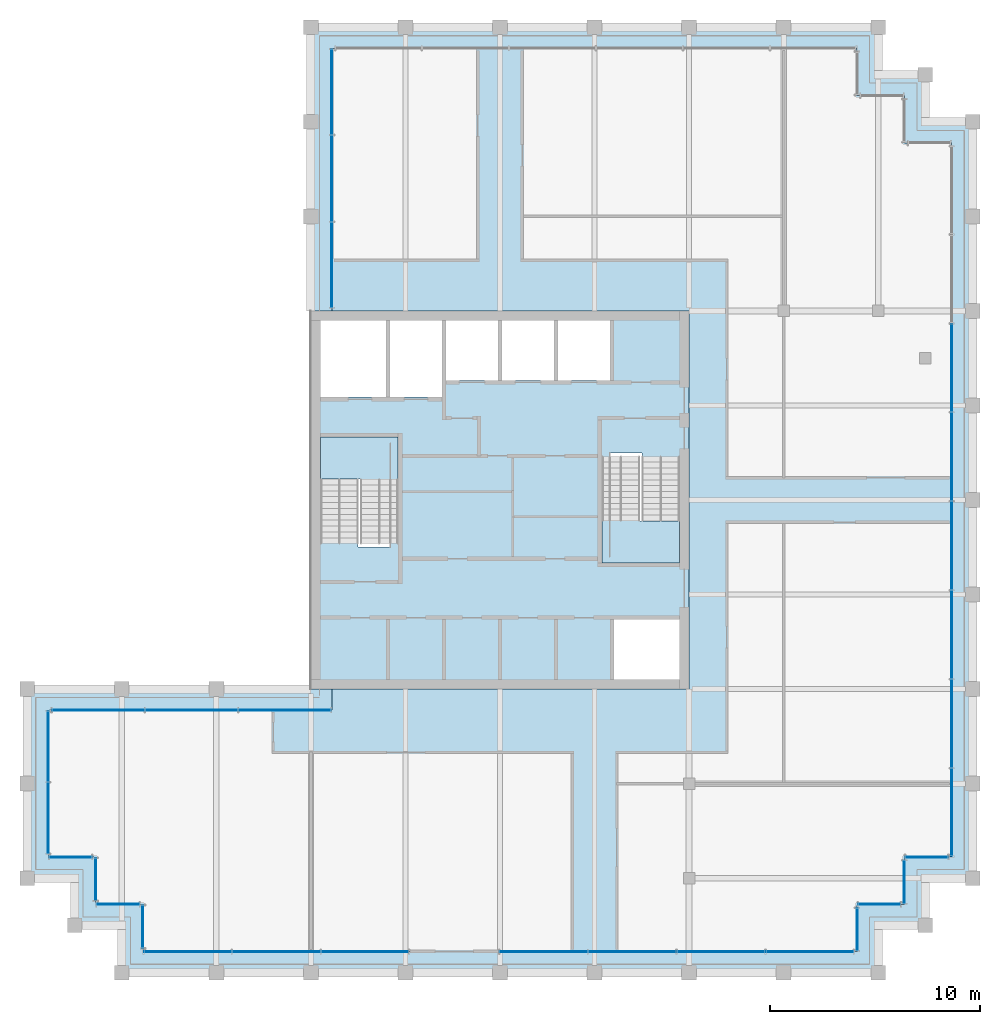
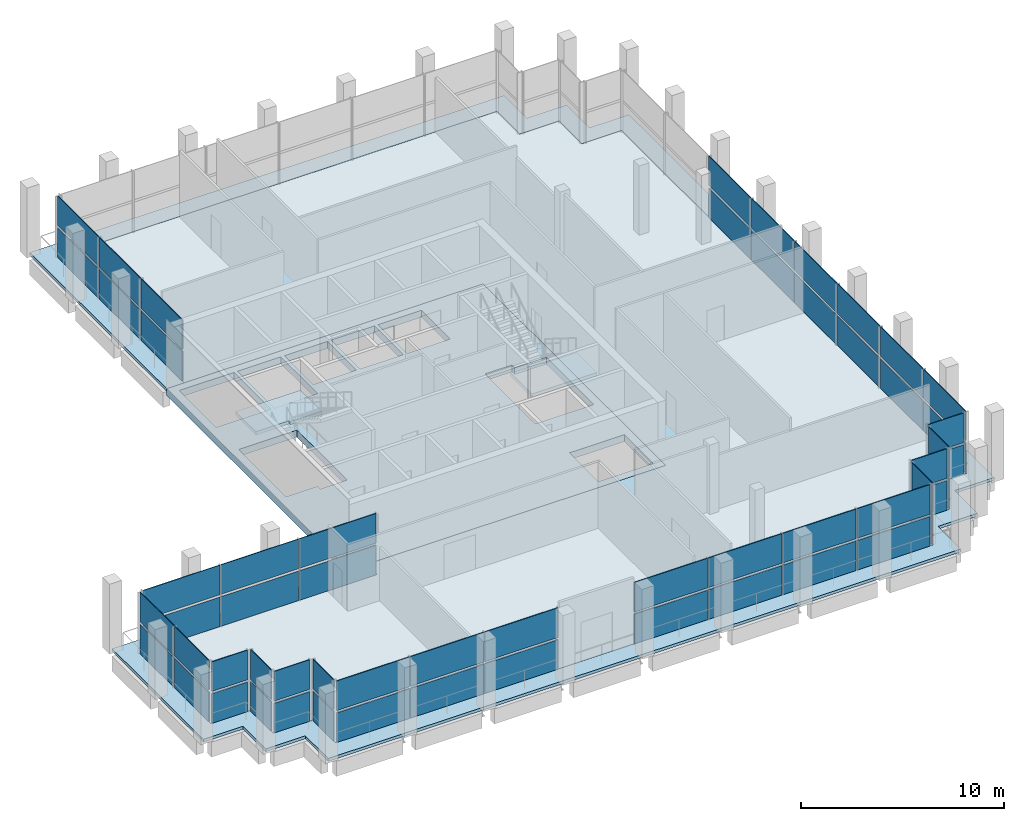
# One storey, part 13 of 17: 58 plates, 5 slabs, 16 elements without a shape of their own.
"""IFC4 building model written with IfcOpenShell, lengths in metres."""

from ifc_helpers import new_model, si_unit, direction, frame, origin, origin_2d, place, context, subcontext, project, spatial, polyline, rectangle, outline, extrude, material, layer, layer_set, type_object, element, aggregate, save


model = new_model("IFC4")

# Units and contexts
model_context = context("Model", 3, precision=1e-05, world=origin(), true_north=direction((0.0, 1.0)))
body_context = subcontext(model_context, "Body", "Model", "MODEL_VIEW")
ifc_project = project(units=[si_unit("LENGTHUNIT", "METRE"), si_unit("AREAUNIT", "SQUARE_METRE"), si_unit("VOLUMEUNIT", "CUBIC_METRE"), si_unit("PLANEANGLEUNIT", "RADIAN"), si_unit("MASSUNIT", "GRAM", prefix="KILO")], contexts=[model_context])

# Site, building, storey
site_placement = place(None, origin())
site = spatial("IfcSite", under=ifc_project, at=site_placement, CompositionType="ELEMENT")
building_placement = place(site_placement, origin())
building = spatial("IfcBuilding", under=site, at=building_placement, Name="Altepetl Exchange Towers", CompositionType="ELEMENT")
storey_placement = place(building_placement, frame((0.0, 0.0, 259.39990234375)))
storey = spatial("IfcBuildingStorey", under=building, at=storey_placement, Name="L66", CompositionType="ELEMENT", Elevation=259.39990234375)

# Slabs
ifc_material_1 = material(Name="Concrete C40/50", Category="concrete")
ifc_layer_1 = layer(ifc_material_1, 0.175048828125)
ifc_layer_set_1 = layer_set([ifc_layer_1], Name="Concrete C40/50")
slab_type_1 = type_object("IfcSlabType", Name="Composite floor slab 175", PredefinedType="FLOOR", material=ifc_layer_set_1)
slab_1_placement = place(storey_placement, frame((0.0, 0.0, -0.1748046875)))
element("IfcSlab", 1, at=slab_1_placement, inside=storey, type_object=slab_type_1, Name="slab:A:L66:strip0", PredefinedType="FLOOR", context=body_context, shape_type="SweptSolid", body=[
    extrude(outline(polyline([(41.5, 71.0), (41.5, 58.5), (58.5, 58.5), (58.5, 40.5), (41.5, 40.5), (41.5, 39.5), (28.0, 39.5), (28.0, 32.5), (30.25, 32.5), (30.25, 30.25), (32.5, 30.25), (32.5, 28.0), (66.5, 28.0), (66.5, 30.25), (68.75, 30.25), (68.75, 32.5), (71.0, 32.5), (71.0, 66.5), (68.75, 66.5), (68.75, 68.75), (66.5, 68.75), (66.5, 71.0), (41.5, 71.0)])), origin(), (0.0, 0.0, 1.0), 0.1748046875),
])
ifc_layer_2 = layer(ifc_material_1, 0.419921875)
ifc_layer_set_2 = layer_set([ifc_layer_2], Name="Concrete C40/50")
slab_type_2 = type_object("IfcSlabType", Name="Core floor slab 420", PredefinedType="FLOOR", material=ifc_layer_set_2)
slab_2_placement = place(storey_placement, frame((0.0, 0.0, -0.419921875)))
element("IfcSlab", 2, at=slab_2_placement, inside=storey, type_object=slab_type_2, Name="slab:A:L66:core0", PredefinedType="FLOOR", context=body_context, shape_type="SweptSolid", body=[
    extrude(outline(polyline([(40.5, 40.5), (58.5, 40.5), (58.5, 58.5), (40.5, 58.5), (40.5, 40.5)]), holes=[polyline([(54.93310546875, 43.800048828125), (58.050048828125, 43.800048828125), (58.050048828125, 40.949951171875), (54.93310546875, 40.949951171875), (54.93310546875, 43.800048828125)]), polyline([(54.719970703125, 51.7490234375), (56.25, 51.7490234375), (56.25, 51.47998046875), (58.050048828125, 51.47998046875), (58.050048828125, 46.800048828125), (54.719970703125, 46.800048828125), (54.719970703125, 51.7490234375)]), polyline([(44.280029296875, 47.2509765625), (42.75, 47.2509765625), (42.75, 47.52001953125), (40.949951171875, 47.52001953125), (40.949951171875, 52.199951171875), (44.280029296875, 52.199951171875), (44.280029296875, 47.2509765625)]), polyline([(40.949951171875, 58.050048828125), (44.06689453125, 58.050048828125), (44.06689453125, 54.39990234375), (40.949951171875, 54.39990234375), (40.949951171875, 58.050048828125)]), polyline([(44.26708984375, 58.050048828125), (46.73291015625, 58.050048828125), (46.73291015625, 54.39990234375), (44.26708984375, 54.39990234375), (44.26708984375, 58.050048828125)]), polyline([(46.93310546875, 58.050048828125), (49.39990234375, 58.050048828125), (49.39990234375, 55.199951171875), (46.93310546875, 55.199951171875), (46.93310546875, 58.050048828125)]), polyline([(49.60009765625, 58.050048828125), (52.06689453125, 58.050048828125), (52.06689453125, 55.199951171875), (49.60009765625, 55.199951171875), (49.60009765625, 58.050048828125)]), polyline([(52.26708984375, 58.050048828125), (54.73291015625, 58.050048828125), (54.73291015625, 55.199951171875), (52.26708984375, 55.199951171875), (52.26708984375, 58.050048828125)])]), origin(), (0.0, 0.0, 1.0), 0.419921875),
])

# Curtain wall, plates
ifc_material_2 = material(Name="Aluminium 6063-T6 glazing", Category="aluminium")
curtain_wall_type = type_object("IfcCurtainWallType", Name="Executive flush glazing system", PredefinedType="NOTDEFINED", material=ifc_material_2)
curtain_wall_1_placement = place(storey_placement, origin())
curtain_wall_1 = element("IfcCurtainWall", 3, at=curtain_wall_1_placement, inside=storey, type_object=curtain_wall_type, Name="CW4 run", PredefinedType="NOTDEFINED")
ifc_material_3 = material(Name="Glass 10-24-10 laminated", Category="glass")
ifc_layer_3 = layer(ifc_material_3, 0.0439453125)
ifc_layer_set_3 = layer_set([ifc_layer_3], Name="Glass 10-24-10 laminated")
plate_type = type_object("IfcPlateType", Name="Glass panel 44 laminated", PredefinedType="CURTAIN_PANEL", material=ifc_layer_set_3)
plate_1_placement = place(storey_placement, frame((39.255859375, 39.5, 0.0), z_axis=(0.0, 0.0, 1.0), x_axis=(-1.0, 0.0, 0.0)))
plate_1 = element("IfcPlate", 4, at=plate_1_placement, type_object=plate_type, Name="GP3 panel", PredefinedType="CURTAIN_PANEL", context=body_context, shape_type="SweptSolid", body=[
    extrude(rectangle(XDim=4.368408203125, YDim=0.0439453125, at=origin_2d()), origin(), (0.0, 0.0, 1.0), 1.780029296875),
])
plate_2_placement = place(storey_placement, frame((39.255859375, 39.5, 1.919921875), z_axis=(0.0, 0.0, 1.0), x_axis=(-1.0, 0.0, 0.0)))
plate_2 = element("IfcPlate", 5, at=plate_2_placement, type_object=plate_type, Name="GP3 panel", PredefinedType="CURTAIN_PANEL", context=body_context, shape_type="SweptSolid", body=[
    extrude(rectangle(XDim=4.368408203125, YDim=0.0439453125, at=origin_2d()), origin(), (0.0, 0.0, 1.0), 1.780029296875),
])
plate_3_placement = place(storey_placement, frame((34.8125, 39.5, 0.0), z_axis=(0.0, 0.0, 1.0), x_axis=(-1.0, 0.0, 0.0)))
plate_3 = element("IfcPlate", 6, at=plate_3_placement, type_object=plate_type, Name="GP3 panel", PredefinedType="CURTAIN_PANEL", context=body_context, shape_type="SweptSolid", body=[
    extrude(rectangle(XDim=4.3984375, YDim=0.0439453125, at=origin_2d()), origin(), (0.0, 0.0, 1.0), 1.780029296875),
])
plate_4_placement = place(storey_placement, frame((34.8125, 39.5, 1.919921875), z_axis=(0.0, 0.0, 1.0), x_axis=(-1.0, 0.0, 0.0)))
plate_4 = element("IfcPlate", 7, at=plate_4_placement, type_object=plate_type, Name="GP3 panel", PredefinedType="CURTAIN_PANEL", context=body_context, shape_type="SweptSolid", body=[
    extrude(rectangle(XDim=4.3984375, YDim=0.0439453125, at=origin_2d()), origin(), (0.0, 0.0, 1.0), 1.780029296875),
])
plate_5_placement = place(storey_placement, frame((30.369140625, 39.5, 0.0), z_axis=(0.0, 0.0, 1.0), x_axis=(-1.0, 0.0, 0.0)))
plate_5 = element("IfcPlate", 8, at=plate_5_placement, type_object=plate_type, Name="GP3 panel", PredefinedType="CURTAIN_PANEL", context=body_context, shape_type="SweptSolid", body=[
    extrude(rectangle(XDim=4.368408203125, YDim=0.0439453125, at=origin_2d()), origin(), (0.0, 0.0, 1.0), 1.780029296875),
])
plate_6_placement = place(storey_placement, frame((30.369140625, 39.5, 1.919921875), z_axis=(0.0, 0.0, 1.0), x_axis=(-1.0, 0.0, 0.0)))
plate_6 = element("IfcPlate", 9, at=plate_6_placement, type_object=plate_type, Name="GP3 panel", PredefinedType="CURTAIN_PANEL", context=body_context, shape_type="SweptSolid", body=[
    extrude(rectangle(XDim=4.368408203125, YDim=0.0439453125, at=origin_2d()), origin(), (0.0, 0.0, 1.0), 1.780029296875),
])
aggregate(curtain_wall_1, [plate_1, plate_2, plate_3, plate_4, plate_5, plate_6])

curtain_wall_2_placement = place(storey_placement, origin())
curtain_wall_2 = element("IfcCurtainWall", 10, at=curtain_wall_2_placement, inside=storey, type_object=curtain_wall_type, Name="CW4 run", PredefinedType="NOTDEFINED")
plate_7_placement = place(storey_placement, frame((28.0, 37.766357421875, 0.0), z_axis=(0.0, 0.0, 1.0), x_axis=(0.0, -1.0, 0.0)))
plate_7 = element("IfcPlate", 11, at=plate_7_placement, type_object=plate_type, Name="GP3 panel", PredefinedType="CURTAIN_PANEL", context=body_context, shape_type="SweptSolid", body=[
    extrude(rectangle(XDim=3.347412109375, YDim=0.0439453125, at=origin_2d()), origin(), (0.0, 0.0, 1.0), 1.780029296875),
])
plate_8_placement = place(storey_placement, frame((28.0, 37.766357421875, 1.919921875), z_axis=(0.0, 0.0, 1.0), x_axis=(0.0, -1.0, 0.0)))
plate_8 = element("IfcPlate", 12, at=plate_8_placement, type_object=plate_type, Name="GP3 panel", PredefinedType="CURTAIN_PANEL", context=body_context, shape_type="SweptSolid", body=[
    extrude(rectangle(XDim=3.347412109375, YDim=0.0439453125, at=origin_2d()), origin(), (0.0, 0.0, 1.0), 1.780029296875),
])
plate_9_placement = place(storey_placement, frame((28.0, 34.358642578125, 0.0), z_axis=(0.0, 0.0, 1.0), x_axis=(0.0, -1.0, 0.0)))
plate_9 = element("IfcPlate", 13, at=plate_9_placement, type_object=plate_type, Name="GP3 panel", PredefinedType="CURTAIN_PANEL", context=body_context, shape_type="SweptSolid", body=[
    extrude(rectangle(XDim=3.347412109375, YDim=0.0439453125, at=origin_2d()), origin(), (0.0, 0.0, 1.0), 1.780029296875),
])
plate_10_placement = place(storey_placement, frame((28.0, 34.358642578125, 1.919921875), z_axis=(0.0, 0.0, 1.0), x_axis=(0.0, -1.0, 0.0)))
plate_10 = element("IfcPlate", 14, at=plate_10_placement, type_object=plate_type, Name="GP3 panel", PredefinedType="CURTAIN_PANEL", context=body_context, shape_type="SweptSolid", body=[
    extrude(rectangle(XDim=3.347412109375, YDim=0.0439453125, at=origin_2d()), origin(), (0.0, 0.0, 1.0), 1.780029296875),
])
aggregate(curtain_wall_2, [plate_7, plate_8, plate_9, plate_10])

curtain_wall_3_placement = place(storey_placement, origin())
curtain_wall_3 = element("IfcCurtainWall", 15, at=curtain_wall_3_placement, inside=storey, type_object=curtain_wall_type, Name="CW4 run", PredefinedType="NOTDEFINED")
plate_11_placement = place(storey_placement, frame((29.0625, 32.5, 0.0)))
plate_11 = element("IfcPlate", 16, at=plate_11_placement, type_object=plate_type, Name="GP3 panel", PredefinedType="CURTAIN_PANEL", context=body_context, shape_type="SweptSolid", body=[
    extrude(rectangle(XDim=2.0048828125, YDim=0.0439453125, at=origin_2d()), origin(), (0.0, 0.0, 1.0), 1.780029296875),
])
plate_12_placement = place(storey_placement, frame((29.0625, 32.5, 1.919921875)))
plate_12 = element("IfcPlate", 17, at=plate_12_placement, type_object=plate_type, Name="GP3 panel", PredefinedType="CURTAIN_PANEL", context=body_context, shape_type="SweptSolid", body=[
    extrude(rectangle(XDim=2.0048828125, YDim=0.0439453125, at=origin_2d()), origin(), (0.0, 0.0, 1.0), 1.780029296875),
])
aggregate(curtain_wall_3, [plate_11, plate_12])

curtain_wall_4_placement = place(storey_placement, origin())
curtain_wall_4 = element("IfcCurtainWall", 18, at=curtain_wall_4_placement, inside=storey, type_object=curtain_wall_type, Name="CW4 run", PredefinedType="NOTDEFINED")
plate_13_placement = place(storey_placement, frame((30.25, 31.4375, 0.0), z_axis=(0.0, 0.0, 1.0), x_axis=(0.0, -1.0, 0.0)))
plate_13 = element("IfcPlate", 19, at=plate_13_placement, type_object=plate_type, Name="GP3 panel", PredefinedType="CURTAIN_PANEL", context=body_context, shape_type="SweptSolid", body=[
    extrude(rectangle(XDim=2.0048828125, YDim=0.0439453125, at=origin_2d()), origin(), (0.0, 0.0, 1.0), 1.780029296875),
])
plate_14_placement = place(storey_placement, frame((30.25, 31.4375, 1.919921875), z_axis=(0.0, 0.0, 1.0), x_axis=(0.0, -1.0, 0.0)))
plate_14 = element("IfcPlate", 20, at=plate_14_placement, type_object=plate_type, Name="GP3 panel", PredefinedType="CURTAIN_PANEL", context=body_context, shape_type="SweptSolid", body=[
    extrude(rectangle(XDim=2.0048828125, YDim=0.0439453125, at=origin_2d()), origin(), (0.0, 0.0, 1.0), 1.780029296875),
])
aggregate(curtain_wall_4, [plate_13, plate_14])

curtain_wall_5_placement = place(storey_placement, origin())
curtain_wall_5 = element("IfcCurtainWall", 21, at=curtain_wall_5_placement, inside=storey, type_object=curtain_wall_type, Name="CW4 run", PredefinedType="NOTDEFINED")
plate_15_placement = place(storey_placement, frame((31.3125, 30.25, 0.0)))
plate_15 = element("IfcPlate", 22, at=plate_15_placement, type_object=plate_type, Name="GP3 panel", PredefinedType="CURTAIN_PANEL", context=body_context, shape_type="SweptSolid", body=[
    extrude(rectangle(XDim=2.0048828125, YDim=0.0439453125, at=origin_2d()), origin(), (0.0, 0.0, 1.0), 1.780029296875),
])
plate_16_placement = place(storey_placement, frame((31.3125, 30.25, 1.919921875)))
plate_16 = element("IfcPlate", 23, at=plate_16_placement, type_object=plate_type, Name="GP3 panel", PredefinedType="CURTAIN_PANEL", context=body_context, shape_type="SweptSolid", body=[
    extrude(rectangle(XDim=2.0048828125, YDim=0.0439453125, at=origin_2d()), origin(), (0.0, 0.0, 1.0), 1.780029296875),
])
aggregate(curtain_wall_5, [plate_15, plate_16])

curtain_wall_6_placement = place(storey_placement, origin())
curtain_wall_6 = element("IfcCurtainWall", 24, at=curtain_wall_6_placement, inside=storey, type_object=curtain_wall_type, Name="CW4 run", PredefinedType="NOTDEFINED")
plate_17_placement = place(storey_placement, frame((32.5, 29.1875, 0.0), z_axis=(0.0, 0.0, 1.0), x_axis=(0.0, -1.0, 0.0)))
plate_17 = element("IfcPlate", 25, at=plate_17_placement, type_object=plate_type, Name="GP3 panel", PredefinedType="CURTAIN_PANEL", context=body_context, shape_type="SweptSolid", body=[
    extrude(rectangle(XDim=2.0048828125, YDim=0.0439453125, at=origin_2d()), origin(), (0.0, 0.0, 1.0), 1.780029296875),
])
plate_18_placement = place(storey_placement, frame((32.5, 29.1875, 1.919921875), z_axis=(0.0, 0.0, 1.0), x_axis=(0.0, -1.0, 0.0)))
plate_18 = element("IfcPlate", 26, at=plate_18_placement, type_object=plate_type, Name="GP3 panel", PredefinedType="CURTAIN_PANEL", context=body_context, shape_type="SweptSolid", body=[
    extrude(rectangle(XDim=2.0048828125, YDim=0.0439453125, at=origin_2d()), origin(), (0.0, 0.0, 1.0), 1.780029296875),
])
aggregate(curtain_wall_6, [plate_17, plate_18])

curtain_wall_7_placement = place(storey_placement, origin())
curtain_wall_7 = element("IfcCurtainWall", 27, at=curtain_wall_7_placement, inside=storey, type_object=curtain_wall_type, Name="CW4 run", PredefinedType="NOTDEFINED")
plate_19_placement = place(storey_placement, frame((34.632080078125, 28.0, 0.0)))
plate_19 = element("IfcPlate", 28, at=plate_19_placement, type_object=plate_type, Name="GP3 panel", PredefinedType="CURTAIN_PANEL", context=body_context, shape_type="SweptSolid", body=[
    extrude(rectangle(XDim=4.144287109375, YDim=0.0439453125, at=origin_2d()), origin(), (0.0, 0.0, 1.0), 1.780029296875),
])
plate_20_placement = place(storey_placement, frame((34.632080078125, 28.0, 1.919921875)))
plate_20 = element("IfcPlate", 29, at=plate_20_placement, type_object=plate_type, Name="GP3 panel", PredefinedType="CURTAIN_PANEL", context=body_context, shape_type="SweptSolid", body=[
    extrude(rectangle(XDim=4.144287109375, YDim=0.0439453125, at=origin_2d()), origin(), (0.0, 0.0, 1.0), 1.780029296875),
])
plate_21_placement = place(storey_placement, frame((38.8515625, 28.0, 0.0)))
plate_21 = element("IfcPlate", 30, at=plate_21_placement, type_object=plate_type, Name="GP3 panel", PredefinedType="CURTAIN_PANEL", context=body_context, shape_type="SweptSolid", body=[
    extrude(rectangle(XDim=4.17431640625, YDim=0.0439453125, at=origin_2d()), origin(), (0.0, 0.0, 1.0), 1.780029296875),
])
plate_22_placement = place(storey_placement, frame((38.8515625, 28.0, 1.919921875)))
plate_22 = element("IfcPlate", 31, at=plate_22_placement, type_object=plate_type, Name="GP3 panel", PredefinedType="CURTAIN_PANEL", context=body_context, shape_type="SweptSolid", body=[
    extrude(rectangle(XDim=4.17431640625, YDim=0.0439453125, at=origin_2d()), origin(), (0.0, 0.0, 1.0), 1.780029296875),
])
plate_23_placement = place(storey_placement, frame((43.071044921875, 28.0, 0.0)))
plate_23 = element("IfcPlate", 32, at=plate_23_placement, type_object=plate_type, Name="GP3 panel", PredefinedType="CURTAIN_PANEL", context=body_context, shape_type="SweptSolid", body=[
    extrude(rectangle(XDim=4.144287109375, YDim=0.0439453125, at=origin_2d()), origin(), (0.0, 0.0, 1.0), 1.780029296875),
])
plate_24_placement = place(storey_placement, frame((43.071044921875, 28.0, 1.919921875)))
plate_24 = element("IfcPlate", 33, at=plate_24_placement, type_object=plate_type, Name="GP3 panel", PredefinedType="CURTAIN_PANEL", context=body_context, shape_type="SweptSolid", body=[
    extrude(rectangle(XDim=4.144287109375, YDim=0.0439453125, at=origin_2d()), origin(), (0.0, 0.0, 1.0), 1.780029296875),
])
aggregate(curtain_wall_7, [plate_19, plate_20, plate_21, plate_22, plate_23, plate_24])

curtain_wall_8_placement = place(storey_placement, origin())
curtain_wall_8 = element("IfcCurtainWall", 34, at=curtain_wall_8_placement, inside=storey, type_object=curtain_wall_type, Name="CW4 run", PredefinedType="NOTDEFINED")
plate_25_placement = place(storey_placement, frame((51.569580078125, 28.0, 0.0)))
plate_25 = element("IfcPlate", 35, at=plate_25_placement, type_object=plate_type, Name="GP3 panel", PredefinedType="CURTAIN_PANEL", context=body_context, shape_type="SweptSolid", body=[
    extrude(rectangle(XDim=4.144287109375, YDim=0.0439453125, at=origin_2d()), origin(), (0.0, 0.0, 1.0), 1.780029296875),
])
plate_26_placement = place(storey_placement, frame((51.569580078125, 28.0, 1.919921875)))
plate_26 = element("IfcPlate", 36, at=plate_26_placement, type_object=plate_type, Name="GP3 panel", PredefinedType="CURTAIN_PANEL", context=body_context, shape_type="SweptSolid", body=[
    extrude(rectangle(XDim=4.144287109375, YDim=0.0439453125, at=origin_2d()), origin(), (0.0, 0.0, 1.0), 1.780029296875),
])
plate_27_placement = place(storey_placement, frame((55.7890625, 28.0, 0.0)))
plate_27 = element("IfcPlate", 37, at=plate_27_placement, type_object=plate_type, Name="GP3 panel", PredefinedType="CURTAIN_PANEL", context=body_context, shape_type="SweptSolid", body=[
    extrude(rectangle(XDim=4.17431640625, YDim=0.0439453125, at=origin_2d()), origin(), (0.0, 0.0, 1.0), 1.780029296875),
])
plate_28_placement = place(storey_placement, frame((55.7890625, 28.0, 1.919921875)))
plate_28 = element("IfcPlate", 38, at=plate_28_placement, type_object=plate_type, Name="GP3 panel", PredefinedType="CURTAIN_PANEL", context=body_context, shape_type="SweptSolid", body=[
    extrude(rectangle(XDim=4.17431640625, YDim=0.0439453125, at=origin_2d()), origin(), (0.0, 0.0, 1.0), 1.780029296875),
])
plate_29_placement = place(storey_placement, frame((60.0234375, 28.0, 0.0)))
plate_29 = element("IfcPlate", 39, at=plate_29_placement, type_object=plate_type, Name="GP3 panel", PredefinedType="CURTAIN_PANEL", context=body_context, shape_type="SweptSolid", body=[
    extrude(rectangle(XDim=4.17431640625, YDim=0.0439453125, at=origin_2d()), origin(), (0.0, 0.0, 1.0), 1.780029296875),
])
plate_30_placement = place(storey_placement, frame((60.0234375, 28.0, 1.919921875)))
plate_30 = element("IfcPlate", 40, at=plate_30_placement, type_object=plate_type, Name="GP3 panel", PredefinedType="CURTAIN_PANEL", context=body_context, shape_type="SweptSolid", body=[
    extrude(rectangle(XDim=4.17431640625, YDim=0.0439453125, at=origin_2d()), origin(), (0.0, 0.0, 1.0), 1.780029296875),
])
plate_31_placement = place(storey_placement, frame((64.242919921875, 28.0, 0.0)))
plate_31 = element("IfcPlate", 41, at=plate_31_placement, type_object=plate_type, Name="GP3 panel", PredefinedType="CURTAIN_PANEL", context=body_context, shape_type="SweptSolid", body=[
    extrude(rectangle(XDim=4.144287109375, YDim=0.0439453125, at=origin_2d()), origin(), (0.0, 0.0, 1.0), 1.780029296875),
])
plate_32_placement = place(storey_placement, frame((64.242919921875, 28.0, 1.919921875)))
plate_32 = element("IfcPlate", 42, at=plate_32_placement, type_object=plate_type, Name="GP3 panel", PredefinedType="CURTAIN_PANEL", context=body_context, shape_type="SweptSolid", body=[
    extrude(rectangle(XDim=4.144287109375, YDim=0.0439453125, at=origin_2d()), origin(), (0.0, 0.0, 1.0), 1.780029296875),
])
aggregate(curtain_wall_8, [plate_25, plate_26, plate_27, plate_28, plate_29, plate_30, plate_31, plate_32])

curtain_wall_9_placement = place(storey_placement, origin())
curtain_wall_9 = element("IfcCurtainWall", 43, at=curtain_wall_9_placement, inside=storey, type_object=curtain_wall_type, Name="CW4 run", PredefinedType="NOTDEFINED")
plate_33_placement = place(storey_placement, frame((66.5, 29.0625, 0.0), z_axis=(0.0, 0.0, 1.0), x_axis=(0.0, 1.0, 0.0)))
plate_33 = element("IfcPlate", 44, at=plate_33_placement, type_object=plate_type, Name="GP3 panel", PredefinedType="CURTAIN_PANEL", context=body_context, shape_type="SweptSolid", body=[
    extrude(rectangle(XDim=2.0048828125, YDim=0.0439453125, at=origin_2d()), origin(), (0.0, 0.0, 1.0), 1.780029296875),
])
plate_34_placement = place(storey_placement, frame((66.5, 29.0625, 1.919921875), z_axis=(0.0, 0.0, 1.0), x_axis=(0.0, 1.0, 0.0)))
plate_34 = element("IfcPlate", 45, at=plate_34_placement, type_object=plate_type, Name="GP3 panel", PredefinedType="CURTAIN_PANEL", context=body_context, shape_type="SweptSolid", body=[
    extrude(rectangle(XDim=2.0048828125, YDim=0.0439453125, at=origin_2d()), origin(), (0.0, 0.0, 1.0), 1.780029296875),
])
aggregate(curtain_wall_9, [plate_33, plate_34])

curtain_wall_10_placement = place(storey_placement, origin())
curtain_wall_10 = element("IfcCurtainWall", 46, at=curtain_wall_10_placement, inside=storey, type_object=curtain_wall_type, Name="CW4 run", PredefinedType="NOTDEFINED")
plate_35_placement = place(storey_placement, frame((67.5625, 30.25, 0.0)))
plate_35 = element("IfcPlate", 47, at=plate_35_placement, type_object=plate_type, Name="GP3 panel", PredefinedType="CURTAIN_PANEL", context=body_context, shape_type="SweptSolid", body=[
    extrude(rectangle(XDim=2.0048828125, YDim=0.0439453125, at=origin_2d()), origin(), (0.0, 0.0, 1.0), 1.780029296875),
])
plate_36_placement = place(storey_placement, frame((67.5625, 30.25, 1.919921875)))
plate_36 = element("IfcPlate", 48, at=plate_36_placement, type_object=plate_type, Name="GP3 panel", PredefinedType="CURTAIN_PANEL", context=body_context, shape_type="SweptSolid", body=[
    extrude(rectangle(XDim=2.0048828125, YDim=0.0439453125, at=origin_2d()), origin(), (0.0, 0.0, 1.0), 1.780029296875),
])
aggregate(curtain_wall_10, [plate_35, plate_36])

curtain_wall_11_placement = place(storey_placement, origin())
curtain_wall_11 = element("IfcCurtainWall", 49, at=curtain_wall_11_placement, inside=storey, type_object=curtain_wall_type, Name="CW4 run", PredefinedType="NOTDEFINED")
plate_37_placement = place(storey_placement, frame((68.75, 31.3125, 0.0), z_axis=(0.0, 0.0, 1.0), x_axis=(0.0, 1.0, 0.0)))
plate_37 = element("IfcPlate", 50, at=plate_37_placement, type_object=plate_type, Name="GP3 panel", PredefinedType="CURTAIN_PANEL", context=body_context, shape_type="SweptSolid", body=[
    extrude(rectangle(XDim=2.0048828125, YDim=0.0439453125, at=origin_2d()), origin(), (0.0, 0.0, 1.0), 1.780029296875),
])
plate_38_placement = place(storey_placement, frame((68.75, 31.3125, 1.919921875), z_axis=(0.0, 0.0, 1.0), x_axis=(0.0, 1.0, 0.0)))
plate_38 = element("IfcPlate", 51, at=plate_38_placement, type_object=plate_type, Name="GP3 panel", PredefinedType="CURTAIN_PANEL", context=body_context, shape_type="SweptSolid", body=[
    extrude(rectangle(XDim=2.0048828125, YDim=0.0439453125, at=origin_2d()), origin(), (0.0, 0.0, 1.0), 1.780029296875),
])
aggregate(curtain_wall_11, [plate_37, plate_38])

curtain_wall_12_placement = place(storey_placement, origin())
curtain_wall_12 = element("IfcCurtainWall", 52, at=curtain_wall_12_placement, inside=storey, type_object=curtain_wall_type, Name="CW4 run", PredefinedType="NOTDEFINED")
plate_39_placement = place(storey_placement, frame((69.8125, 32.5, 0.0)))
plate_39 = element("IfcPlate", 53, at=plate_39_placement, type_object=plate_type, Name="GP3 panel", PredefinedType="CURTAIN_PANEL", context=body_context, shape_type="SweptSolid", body=[
    extrude(rectangle(XDim=2.0048828125, YDim=0.0439453125, at=origin_2d()), origin(), (0.0, 0.0, 1.0), 1.780029296875),
])
plate_40_placement = place(storey_placement, frame((69.8125, 32.5, 1.919921875)))
plate_40 = element("IfcPlate", 54, at=plate_40_placement, type_object=plate_type, Name="GP3 panel", PredefinedType="CURTAIN_PANEL", context=body_context, shape_type="SweptSolid", body=[
    extrude(rectangle(XDim=2.0048828125, YDim=0.0439453125, at=origin_2d()), origin(), (0.0, 0.0, 1.0), 1.780029296875),
])
aggregate(curtain_wall_12, [plate_39, plate_40])

curtain_wall_13_placement = place(storey_placement, origin())
curtain_wall_13 = element("IfcCurtainWall", 55, at=curtain_wall_13_placement, inside=storey, type_object=curtain_wall_type, Name="CW4 run", PredefinedType="NOTDEFINED")
plate_41_placement = place(storey_placement, frame((71.0, 34.632080078125, 0.0), z_axis=(0.0, 0.0, 1.0), x_axis=(0.0, 1.0, 0.0)))
plate_41 = element("IfcPlate", 56, at=plate_41_placement, type_object=plate_type, Name="GP3 panel", PredefinedType="CURTAIN_PANEL", context=body_context, shape_type="SweptSolid", body=[
    extrude(rectangle(XDim=4.144287109375, YDim=0.0439453125, at=origin_2d()), origin(), (0.0, 0.0, 1.0), 1.780029296875),
])
plate_42_placement = place(storey_placement, frame((71.0, 34.632080078125, 1.919921875), z_axis=(0.0, 0.0, 1.0), x_axis=(0.0, 1.0, 0.0)))
plate_42 = element("IfcPlate", 57, at=plate_42_placement, type_object=plate_type, Name="GP3 panel", PredefinedType="CURTAIN_PANEL", context=body_context, shape_type="SweptSolid", body=[
    extrude(rectangle(XDim=4.144287109375, YDim=0.0439453125, at=origin_2d()), origin(), (0.0, 0.0, 1.0), 1.780029296875),
])
plate_43_placement = place(storey_placement, frame((71.0, 38.8515625, 0.0), z_axis=(0.0, 0.0, 1.0), x_axis=(0.0, 1.0, 0.0)))
plate_43 = element("IfcPlate", 58, at=plate_43_placement, type_object=plate_type, Name="GP3 panel", PredefinedType="CURTAIN_PANEL", context=body_context, shape_type="SweptSolid", body=[
    extrude(rectangle(XDim=4.17431640625, YDim=0.0439453125, at=origin_2d()), origin(), (0.0, 0.0, 1.0), 1.780029296875),
])
plate_44_placement = place(storey_placement, frame((71.0, 38.8515625, 1.919921875), z_axis=(0.0, 0.0, 1.0), x_axis=(0.0, 1.0, 0.0)))
plate_44 = element("IfcPlate", 59, at=plate_44_placement, type_object=plate_type, Name="GP3 panel", PredefinedType="CURTAIN_PANEL", context=body_context, shape_type="SweptSolid", body=[
    extrude(rectangle(XDim=4.17431640625, YDim=0.0439453125, at=origin_2d()), origin(), (0.0, 0.0, 1.0), 1.780029296875),
])
plate_45_placement = place(storey_placement, frame((71.0, 43.0859375, 0.0), z_axis=(0.0, 0.0, 1.0), x_axis=(0.0, 1.0, 0.0)))
plate_45 = element("IfcPlate", 60, at=plate_45_placement, type_object=plate_type, Name="GP3 panel", PredefinedType="CURTAIN_PANEL", context=body_context, shape_type="SweptSolid", body=[
    extrude(rectangle(XDim=4.17431640625, YDim=0.0439453125, at=origin_2d()), origin(), (0.0, 0.0, 1.0), 1.780029296875),
])
plate_46_placement = place(storey_placement, frame((71.0, 43.0859375, 1.919921875), z_axis=(0.0, 0.0, 1.0), x_axis=(0.0, 1.0, 0.0)))
plate_46 = element("IfcPlate", 61, at=plate_46_placement, type_object=plate_type, Name="GP3 panel", PredefinedType="CURTAIN_PANEL", context=body_context, shape_type="SweptSolid", body=[
    extrude(rectangle(XDim=4.17431640625, YDim=0.0439453125, at=origin_2d()), origin(), (0.0, 0.0, 1.0), 1.780029296875),
])
plate_47_placement = place(storey_placement, frame((71.0, 47.3203125, 0.0), z_axis=(0.0, 0.0, 1.0), x_axis=(0.0, 1.0, 0.0)))
plate_47 = element("IfcPlate", 62, at=plate_47_placement, type_object=plate_type, Name="GP3 panel", PredefinedType="CURTAIN_PANEL", context=body_context, shape_type="SweptSolid", body=[
    extrude(rectangle(XDim=4.17431640625, YDim=0.0439453125, at=origin_2d()), origin(), (0.0, 0.0, 1.0), 1.780029296875),
])
plate_48_placement = place(storey_placement, frame((71.0, 47.3203125, 1.919921875), z_axis=(0.0, 0.0, 1.0), x_axis=(0.0, 1.0, 0.0)))
plate_48 = element("IfcPlate", 63, at=plate_48_placement, type_object=plate_type, Name="GP3 panel", PredefinedType="CURTAIN_PANEL", context=body_context, shape_type="SweptSolid", body=[
    extrude(rectangle(XDim=4.17431640625, YDim=0.0439453125, at=origin_2d()), origin(), (0.0, 0.0, 1.0), 1.780029296875),
])
plate_49_placement = place(storey_placement, frame((71.0, 51.5546875, 0.0), z_axis=(0.0, 0.0, 1.0), x_axis=(0.0, 1.0, 0.0)))
plate_49 = element("IfcPlate", 64, at=plate_49_placement, type_object=plate_type, Name="GP3 panel", PredefinedType="CURTAIN_PANEL", context=body_context, shape_type="SweptSolid", body=[
    extrude(rectangle(XDim=4.17431640625, YDim=0.0439453125, at=origin_2d()), origin(), (0.0, 0.0, 1.0), 1.780029296875),
])
plate_50_placement = place(storey_placement, frame((71.0, 51.5546875, 1.919921875), z_axis=(0.0, 0.0, 1.0), x_axis=(0.0, 1.0, 0.0)))
plate_50 = element("IfcPlate", 65, at=plate_50_placement, type_object=plate_type, Name="GP3 panel", PredefinedType="CURTAIN_PANEL", context=body_context, shape_type="SweptSolid", body=[
    extrude(rectangle(XDim=4.17431640625, YDim=0.0439453125, at=origin_2d()), origin(), (0.0, 0.0, 1.0), 1.780029296875),
])
plate_51_placement = place(storey_placement, frame((71.0, 55.7890625, 0.0), z_axis=(0.0, 0.0, 1.0), x_axis=(0.0, 1.0, 0.0)))
plate_51 = element("IfcPlate", 66, at=plate_51_placement, type_object=plate_type, Name="GP3 panel", PredefinedType="CURTAIN_PANEL", context=body_context, shape_type="SweptSolid", body=[
    extrude(rectangle(XDim=4.17431640625, YDim=0.0439453125, at=origin_2d()), origin(), (0.0, 0.0, 1.0), 1.780029296875),
])
plate_52_placement = place(storey_placement, frame((71.0, 55.7890625, 1.919921875), z_axis=(0.0, 0.0, 1.0), x_axis=(0.0, 1.0, 0.0)))
plate_52 = element("IfcPlate", 67, at=plate_52_placement, type_object=plate_type, Name="GP3 panel", PredefinedType="CURTAIN_PANEL", context=body_context, shape_type="SweptSolid", body=[
    extrude(rectangle(XDim=4.17431640625, YDim=0.0439453125, at=origin_2d()), origin(), (0.0, 0.0, 1.0), 1.780029296875),
])
aggregate(curtain_wall_13, [plate_41, plate_42, plate_43, plate_44, plate_45, plate_46, plate_47, plate_48, plate_49, plate_50, plate_51, plate_52])

curtain_wall_14_placement = place(storey_placement, origin())
curtain_wall_14 = element("IfcCurtainWall", 68, at=curtain_wall_14_placement, inside=storey, type_object=curtain_wall_type, Name="CW4 run", PredefinedType="NOTDEFINED")
plate_53_placement = place(storey_placement, frame((41.5, 68.922607421875, 0.0), z_axis=(0.0, 0.0, 1.0), x_axis=(0.0, -1.0, 0.0)))
plate_53 = element("IfcPlate", 69, at=plate_53_placement, type_object=plate_type, Name="GP3 panel", PredefinedType="CURTAIN_PANEL", context=body_context, shape_type="SweptSolid", body=[
    extrude(rectangle(XDim=4.034912109375, YDim=0.0439453125, at=origin_2d()), origin(), (0.0, 0.0, 1.0), 1.780029296875),
])
plate_54_placement = place(storey_placement, frame((41.5, 68.922607421875, 1.919921875), z_axis=(0.0, 0.0, 1.0), x_axis=(0.0, -1.0, 0.0)))
plate_54 = element("IfcPlate", 70, at=plate_54_placement, type_object=plate_type, Name="GP3 panel", PredefinedType="CURTAIN_PANEL", context=body_context, shape_type="SweptSolid", body=[
    extrude(rectangle(XDim=4.034912109375, YDim=0.0439453125, at=origin_2d()), origin(), (0.0, 0.0, 1.0), 1.780029296875),
])
plate_55_placement = place(storey_placement, frame((41.5, 64.8125, 0.0), z_axis=(0.0, 0.0, 1.0), x_axis=(0.0, -1.0, 0.0)))
plate_55 = element("IfcPlate", 71, at=plate_55_placement, type_object=plate_type, Name="GP3 panel", PredefinedType="CURTAIN_PANEL", context=body_context, shape_type="SweptSolid", body=[
    extrude(rectangle(XDim=4.06494140625, YDim=0.0439453125, at=origin_2d()), origin(), (0.0, 0.0, 1.0), 1.780029296875),
])
plate_56_placement = place(storey_placement, frame((41.5, 64.8125, 1.919921875), z_axis=(0.0, 0.0, 1.0), x_axis=(0.0, -1.0, 0.0)))
plate_56 = element("IfcPlate", 72, at=plate_56_placement, type_object=plate_type, Name="GP3 panel", PredefinedType="CURTAIN_PANEL", context=body_context, shape_type="SweptSolid", body=[
    extrude(rectangle(XDim=4.06494140625, YDim=0.0439453125, at=origin_2d()), origin(), (0.0, 0.0, 1.0), 1.780029296875),
])
plate_57_placement = place(storey_placement, frame((41.5, 60.702392578125, 0.0), z_axis=(0.0, 0.0, 1.0), x_axis=(0.0, -1.0, 0.0)))
plate_57 = element("IfcPlate", 73, at=plate_57_placement, type_object=plate_type, Name="GP3 panel", PredefinedType="CURTAIN_PANEL", context=body_context, shape_type="SweptSolid", body=[
    extrude(rectangle(XDim=4.034912109375, YDim=0.0439453125, at=origin_2d()), origin(), (0.0, 0.0, 1.0), 1.780029296875),
])
plate_58_placement = place(storey_placement, frame((41.5, 60.702392578125, 1.919921875), z_axis=(0.0, 0.0, 1.0), x_axis=(0.0, -1.0, 0.0)))
plate_58 = element("IfcPlate", 74, at=plate_58_placement, type_object=plate_type, Name="GP3 panel", PredefinedType="CURTAIN_PANEL", context=body_context, shape_type="SweptSolid", body=[
    extrude(rectangle(XDim=4.034912109375, YDim=0.0439453125, at=origin_2d()), origin(), (0.0, 0.0, 1.0), 1.780029296875),
])
aggregate(curtain_wall_14, [plate_53, plate_54, plate_55, plate_56, plate_57, plate_58])

# Slab
ifc_layer_4 = layer(ifc_material_1, 0.175048828125)
ifc_layer_set_4 = layer_set([ifc_layer_4], Name="Concrete C40/50")
slab_type_3 = type_object("IfcSlabType", Name="Loggia slab 175", PredefinedType="FLOOR", material=ifc_layer_set_4)
slab_3_placement = place(storey_placement, frame((0.0, 0.0, -0.1748046875)))
element("IfcSlab", 75, at=slab_3_placement, inside=storey, type_object=slab_type_3, Name="slab:A:L66:loggia0", PredefinedType="FLOOR", context=body_context, shape_type="SweptSolid", body=[
    extrude(outline(polyline([(40.5, 72.0), (40.5, 58.5), (41.5, 58.5), (41.5, 71.0), (66.5, 71.0), (66.5, 68.75), (68.75, 68.75), (68.75, 66.5), (71.0, 66.5), (71.0, 32.5), (68.75, 32.5), (68.75, 30.25), (66.5, 30.25), (66.5, 28.0), (32.5, 28.0), (32.5, 30.25), (30.25, 30.25), (30.25, 32.5), (28.0, 32.5), (28.0, 39.5), (41.5, 39.5), (41.5, 40.5), (40.5, 40.5), (27.0, 40.5), (27.0, 31.5), (29.25, 31.5), (29.25, 29.25), (31.5, 29.25), (31.5, 27.0), (58.5, 27.0), (67.5, 27.0), (67.5, 29.25), (69.75, 29.25), (69.75, 31.5), (72.0, 31.5), (72.0, 58.5), (72.0, 67.5), (69.75, 67.5), (69.75, 69.75), (67.5, 69.75), (67.5, 72.0), (40.5, 72.0)])), origin(), (0.0, 0.0, 1.0), 0.1748046875),
])

# Stair, slab
stair_type = type_object("IfcStairType", Name="Exit stair 1800 flights dogleg", PredefinedType="HALF_TURN_STAIR", material=ifc_material_1)
stair_1_placement = place(storey_placement, origin())
stair_1 = element("IfcStair", 76, at=stair_1_placement, inside=storey, type_object=stair_type, Name="Exit stair 1", PredefinedType="HALF_TURN_STAIR")
ifc_layer_5 = layer(ifc_material_1, 0.199951171875)
ifc_layer_set_5 = layer_set([ifc_layer_5], Name="Concrete C40/50")
slab_type_4 = type_object("IfcSlabType", Name="Stair landing 200 reinforced concrete", PredefinedType="LANDING", material=ifc_layer_set_5)
slab_4_placement = place(storey_placement, frame((0.0, 0.0, 1.900146484375)))
slab_4 = element("IfcSlab", 77, at=slab_4_placement, type_object=slab_type_4, Name="ST-A1j landing 1", PredefinedType="LANDING", context=body_context, shape_type="SweptSolid", body=[
    extrude(outline(polyline([(44.64990234375, 50.39990234375), (42.85009765625, 50.39990234375), (42.85009765625, 50.5), (42.75, 50.5), (42.75, 50.499267578125), (40.949951171875, 50.499267578125), (40.949951171875, 50.5), (40.949951171875, 52.5), (44.64990234375, 52.5), (44.64990234375, 50.5), (44.64990234375, 50.39990234375)])), origin(), (0.0, 0.0, 1.0), 0.199951171875),
])
aggregate(stair_1, [slab_4])

stair_2_placement = place(storey_placement, origin())
stair_2 = element("IfcStair", 78, at=stair_2_placement, inside=storey, type_object=stair_type, Name="Exit stair 2", PredefinedType="HALF_TURN_STAIR")
slab_5_placement = place(storey_placement, frame((0.0, 0.0, 1.900146484375)))
slab_5 = element("IfcSlab", 79, at=slab_5_placement, type_object=slab_type_4, Name="ST-A2j landing 1", PredefinedType="LANDING", context=body_context, shape_type="SweptSolid", body=[
    extrude(outline(polyline([(58.050048828125, 46.5), (54.35009765625, 46.5), (54.35009765625, 48.5), (54.35009765625, 48.60009765625), (56.14990234375, 48.60009765625), (56.14990234375, 48.5), (56.25, 48.5), (56.25, 48.500732421875), (58.050048828125, 48.500732421875), (58.050048828125, 48.5), (58.050048828125, 46.5)])), origin(), (0.0, 0.0, 1.0), 0.199951171875),
])
aggregate(stair_2, [slab_5])

save(model, "model.ifc")
